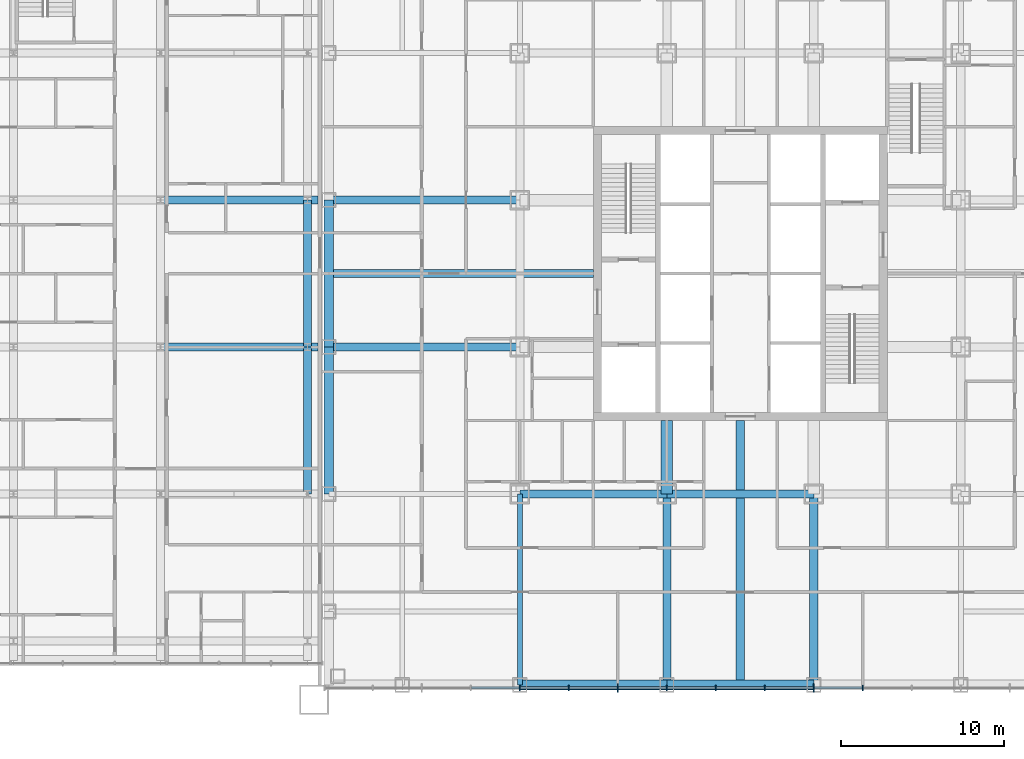
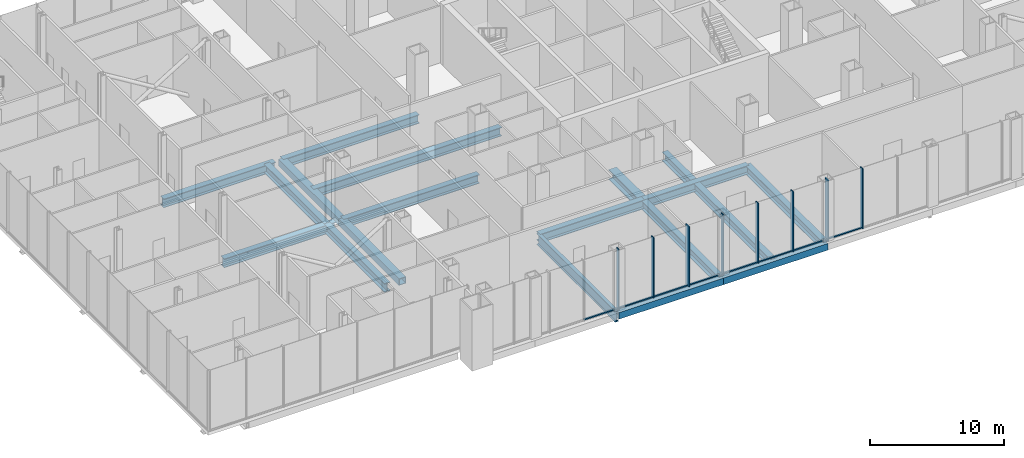
# One storey, part 3 of 25: 18 beams, 16 members, 1 element without a shape of its own.
"""IFC4 building model written with IfcOpenShell, lengths in metres."""

import ifcopenshell
import ifcopenshell.guid

model = None  # the IFC model being written
_history = None  # IfcOwnerHistory: only IFC2X3 demands one
_inside = {}  # id of a spatial element -> (the spatial element, [elements in it])
_under = {}  # id of a project, library or spatial element -> (it, [spatial elements below it])
_declared = {}  # id of a project -> (the project, [libraries it declares])
_typed = {}  # id of a type object -> (the type object, [elements of that type])
_made_of = {}  # id of a material, layer set ... -> (it, [elements and type objects made of it])


def new_model(schema):
    """Start an empty IFC model of exactly this schema.

    Asked for "IFC4X3", IfcOpenShell would pick the latest addendum, in which some entities
    have other attributes; the version numbers below select the first issue.
    IFC2X3 requires an IfcOwnerHistory on every rooted entity: one is made here for all.
    """
    global model, _history
    if schema == "IFC4X3":
        model = ifcopenshell.file(schema_version=(4, 3, 0, 0))
    else:
        model = ifcopenshell.file(schema=schema)
    _inside.clear()
    _under.clear()
    _declared.clear()
    _typed.clear()
    _made_of.clear()
    _history = None
    if model.schema == "IFC2X3":
        org = make("IfcOrganization", Name="unknown")
        user = make(
            "IfcPersonAndOrganization",
            ThePerson=make("IfcPerson", FamilyName="unknown"),
            TheOrganization=org,
        )
        app = make(
            "IfcApplication",
            ApplicationDeveloper=org,
            Version="unknown",
            ApplicationFullName="unknown",
            ApplicationIdentifier="unknown",
        )
        _history = make(
            "IfcOwnerHistory",
            OwningUser=user,
            OwningApplication=app,
            ChangeAction="ADDED",
            CreationDate=0,
        )
    return model


def make(cls, **values):
    """One entity of the class cls with the attributes given. An attribute that is None is left unset."""
    return model.create_entity(
        cls, **{name: value for name, value in values.items() if value is not None}
    )


def rooted(cls, **values):
    """An entity with a GlobalId (a new one), such as an element, a storey or a relation."""
    return make(cls, GlobalId=ifcopenshell.guid.new(), OwnerHistory=_history, **values)


def si_unit(unit_type, name, prefix=None):
    """IfcSIUnit, for example si_unit("LENGTHUNIT", "METRE", prefix="MILLI")."""
    return make("IfcSIUnit", UnitType=unit_type, Prefix=prefix, Name=name)


def assignment(units):
    """IfcUnitAssignment: the units of a project."""
    return None if units is None else make("IfcUnitAssignment", Units=units)


def point(xyz):
    """IfcCartesianPoint."""
    return None if xyz is None else make("IfcCartesianPoint", Coordinates=xyz)


def direction(xyz):
    """IfcDirection."""
    return None if xyz is None else make("IfcDirection", DirectionRatios=xyz)


def frame(location, z_axis=None, x_axis=None):
    """IfcAxis2Placement3D, a coordinate frame: its origin and axes. An axis left out is left unset."""
    return make(
        "IfcAxis2Placement3D",
        Location=point(location),
        Axis=direction(z_axis),
        RefDirection=direction(x_axis),
    )


def frame_2d(location, x_axis=None):
    """IfcAxis2Placement2D, a coordinate frame in the plane: its origin and x axis."""
    return make(
        "IfcAxis2Placement2D", Location=point(location), RefDirection=direction(x_axis)
    )


def origin():
    """The frame at (0, 0, 0) with its axes left unset."""
    return frame((0.0, 0.0, 0.0))


def origin_2d():
    """The frame at (0, 0) in the plane with its x axis left unset."""
    return frame_2d((0.0, 0.0))


def place(relative_to, where):
    """IfcLocalPlacement: puts the frame where relative to a parent placement (None: the world)."""
    return make(
        "IfcLocalPlacement", PlacementRelTo=relative_to, RelativePlacement=where
    )


def context(
    kind, dimensions, precision=None, world=None, true_north=None, identifier=None
):
    """IfcGeometricRepresentationContext, for example the 3D "Model" context."""
    return make(
        "IfcGeometricRepresentationContext",
        ContextIdentifier=identifier,
        ContextType=kind,
        CoordinateSpaceDimension=dimensions,
        Precision=precision,
        WorldCoordinateSystem=world,
        TrueNorth=true_north,
    )


def subcontext(parent, identifier, kind, view, scale=None):
    """IfcGeometricRepresentationSubContext, for example "Body" below "Model"."""
    return make(
        "IfcGeometricRepresentationSubContext",
        ContextIdentifier=identifier,
        ContextType=kind,
        ParentContext=parent,
        TargetScale=scale,
        TargetView=view,
    )


def project(units=None, contexts=None):
    """IfcProject with its units and contexts."""
    return rooted(
        "IfcProject",
        Name="project",
        RepresentationContexts=contexts,
        UnitsInContext=assignment(units),
    )


def spatial(cls, under=None, at=None, **own):
    """A site, building, storey or space (cls), placed at a placement, below another one or the project."""
    s = rooted(cls, ObjectPlacement=at, **own)
    if under is not None:
        _under.setdefault(under.id(), (under, []))[1].append(s)
    return s


def profile(cls, at=None, kind="AREA", **sizes):
    """A parametric profile (cls). Its sizes go by their IFC names, for example OverallWidth=200.0."""
    return make(cls, ProfileType=kind, Position=at, **sizes)


def rectangle(**sizes):
    """IfcRectangleProfileDef."""
    return profile("IfcRectangleProfileDef", **sizes)


def hollow_rectangle(**sizes):
    """IfcRectangleHollowProfileDef."""
    return profile("IfcRectangleHollowProfileDef", **sizes)


def i_section(**sizes):
    """IfcIShapeProfileDef."""
    return profile("IfcIShapeProfileDef", **sizes)


def extrude(swept, where, along, depth):
    """IfcExtrudedAreaSolid: the profile swept, set in the frame where, extruded along a direction by depth."""
    return make(
        "IfcExtrudedAreaSolid",
        SweptArea=swept,
        Position=where,
        ExtrudedDirection=direction(along),
        Depth=depth,
    )


def shape(context_of_items, identifier, shape_type, items):
    """IfcShapeRepresentation: the items that make up one representation, for example the "Body"."""
    return make(
        "IfcShapeRepresentation",
        ContextOfItems=context_of_items,
        RepresentationIdentifier=identifier,
        RepresentationType=shape_type,
        Items=items,
    )


def material(Name=None, Category=None):
    """IfcMaterial."""
    return make("IfcMaterial", Name=Name, Category=Category)


def layer(
    of_material, thickness, ventilated=None, Name=None, Category=None, Priority=None
):
    """IfcMaterialLayer: one layer of a wall or slab, of a material (None: an air gap)."""
    return make(
        "IfcMaterialLayer",
        Material=of_material,
        LayerThickness=thickness,
        IsVentilated=ventilated,
        Name=Name,
        Category=Category,
        Priority=Priority,
    )


def layer_set(layers, Name=None):
    """IfcMaterialLayerSet."""
    return make("IfcMaterialLayerSet", MaterialLayers=layers, LayerSetName=Name)


def material_profile(
    of_material, cross_section, Name=None, Category=None, Priority=None
):
    """IfcMaterialProfile: a cross section and its material."""
    return make(
        "IfcMaterialProfile",
        Name=Name,
        Material=of_material,
        Profile=cross_section,
        Priority=Priority,
        Category=Category,
    )


def profile_set(profiles, Name=None, composite=None):
    """IfcMaterialProfileSet."""
    return make(
        "IfcMaterialProfileSet",
        Name=Name,
        MaterialProfiles=profiles,
        CompositeProfile=composite,
    )


def made_of(thing, what):
    """Note that an element or type object is made of a material, layer set ...; save() writes the relation."""
    if what is not None:
        _made_of.setdefault(what.id(), (what, []))[1].append(thing)
    return thing


def type_object(cls, material=None, **own):
    """A type object (cls), such as IfcWallType, which elements share."""
    return made_of(rooted(cls, **own), material)


def element(
    cls,
    number,
    at=None,
    inside=None,
    cuts=None,
    type_object=None,
    material=None,
    context=None,
    identifier="Body",
    shape_type=None,
    held_by="IfcProductDefinitionShape",
    body=None,
    shapes=None,
    **own,
):
    """One element of the class cls, such as IfcWall. Its Tag is "e" and its number.

    at: its placement. inside: the storey or other place that contains it. cuts: it is an
    opening in that element (IfcRelVoidsElement). A single representation is given by context,
    identifier, shape_type and body (its items); several are given by shapes. held_by: the class
    of the entity that holds the representations. save() writes the other relations.
    """
    e = rooted(cls, Tag="e%d" % number, ObjectPlacement=at, **own)
    if body is not None:
        shapes = [shape(context, identifier, shape_type, body)]
    if shapes is not None:
        e.Representation = make(held_by, Representations=shapes)
    if inside is not None:
        _inside.setdefault(inside.id(), (inside, []))[1].append(e)
    if cuts is not None:
        rooted(
            "IfcRelVoidsElement", RelatingBuildingElement=cuts, RelatedOpeningElement=e
        )
    if type_object is not None:
        _typed.setdefault(type_object.id(), (type_object, []))[1].append(e)
    return made_of(e, material)


def aggregate(whole, parts):
    """IfcRelAggregates: a whole, such as a stair, and the parts it consists of."""
    return rooted("IfcRelAggregates", RelatingObject=whole, RelatedObjects=parts)


def save(model, path):
    """Write the relations noted so far, then the file.

    IfcRelAggregates (storeys below a building ...), IfcRelContainedInSpatialStructure (elements
    in a storey), IfcRelDefinesByType, IfcRelAssociatesMaterial and IfcRelDeclares: one each for
    every whole, place, type object, material and project.
    """
    for whole, parts in _under.values():
        aggregate(whole, parts)
    for where, things in _inside.values():
        rooted(
            "IfcRelContainedInSpatialStructure",
            RelatedElements=things,
            RelatingStructure=where,
        )
    for kind, things in _typed.values():
        rooted("IfcRelDefinesByType", RelatedObjects=things, RelatingType=kind)
    for what, things in _made_of.values():
        rooted("IfcRelAssociatesMaterial", RelatedObjects=things, RelatingMaterial=what)
    for by, libraries in _declared.values():
        rooted("IfcRelDeclares", RelatingContext=by, RelatedDefinitions=libraries)
    model.write(path)


model = new_model("IFC4")

# Units and contexts
model_context = context("Model", 3, precision=1e-05, world=origin(), true_north=direction((0.0, 1.0)))
body_context = subcontext(model_context, "Body", "Model", "MODEL_VIEW")
ifc_project = project(units=[si_unit("LENGTHUNIT", "METRE"), si_unit("AREAUNIT", "SQUARE_METRE"), si_unit("VOLUMEUNIT", "CUBIC_METRE"), si_unit("PLANEANGLEUNIT", "RADIAN"), si_unit("MASSUNIT", "GRAM", prefix="KILO")], contexts=[model_context])

# Site, building, storey
site_placement = place(None, origin())
site = spatial("IfcSite", under=ifc_project, at=site_placement, CompositionType="ELEMENT")
building_placement = place(site_placement, origin())
building = spatial("IfcBuilding", under=site, at=building_placement, Name="Malebo Sky Hospital", CompositionType="ELEMENT")
storey_placement = place(building_placement, frame((0.0, 0.0, 11.0)))
storey = spatial("IfcBuildingStorey", under=building, at=storey_placement, Name="L02", CompositionType="ELEMENT", Elevation=11.0)

# Curtain wall, members
ifc_material_1 = material(Name="Anodised aluminium, natural silver", Category="aluminium")
ifc_layer = layer(ifc_material_1, 0.25)
ifc_layer_set = layer_set([ifc_layer], Name="PODIUM ENTRANCE BAY CURTAIN WALL")
curtain_wall_type = type_object("IfcCurtainWallType", Name="PODIUM ENTRANCE BAY CURTAIN WALL", PredefinedType="NOTDEFINED", material=ifc_layer_set)
curtain_wall_placement = place(storey_placement, origin())
curtain_wall = element("IfcCurtainWall", 1, at=curtain_wall_placement, inside=storey, type_object=curtain_wall_type, Name="BAY curtain wall BS", PredefinedType="NOTDEFINED")
ifc_material_profile_1 = material_profile(ifc_material_1, rectangle(XDim=0.14990234375, YDim=0.10009765625, at=origin_2d()), Name="ALUMINIUM TRANSOM 150x100")
ifc_profile_set_1 = profile_set([ifc_material_profile_1], Name="Anodised aluminium, natural silver")
member_type_1 = type_object("IfcMemberType", Name="ALUMINIUM TRANSOM 150x100", PredefinedType="USERDEFINED", material=ifc_profile_set_1)
member_1_placement = place(storey_placement, frame((43.53759765625, 36.625, 0.050048828125), z_axis=(1.0, 0.0, 0.0), x_axis=(0.0, 1.0, 0.0)))
member_1 = element("IfcMember", 2, at=member_1_placement, type_object=member_type_1, Name="Transom 4", ObjectType="TRANSOM", PredefinedType="USERDEFINED", context=body_context, shape_type="SweptSolid", body=[
    extrude(rectangle(XDim=0.14990234375, YDim=0.10009765625, at=origin_2d()), origin(), (0.0, 0.0, 1.0), 2.9248046875),
])
member_2_placement = place(storey_placement, frame((46.53759765625, 36.625, 0.050048828125), z_axis=(1.0, 0.0, 0.0), x_axis=(0.0, 1.0, 0.0)))
member_2 = element("IfcMember", 3, at=member_2_placement, type_object=member_type_1, Name="Transom 5", ObjectType="TRANSOM", PredefinedType="USERDEFINED", context=body_context, shape_type="SweptSolid", body=[
    extrude(rectangle(XDim=0.14990234375, YDim=0.10009765625, at=origin_2d()), origin(), (0.0, 0.0, 1.0), 2.9248046875),
])
member_3_placement = place(storey_placement, frame((49.53759765625, 36.625, 0.050048828125), z_axis=(1.0, 0.0, 0.0), x_axis=(0.0, 1.0, 0.0)))
member_3 = element("IfcMember", 4, at=member_3_placement, type_object=member_type_1, Name="Transom 6", ObjectType="TRANSOM", PredefinedType="USERDEFINED", context=body_context, shape_type="SweptSolid", body=[
    extrude(rectangle(XDim=0.14990234375, YDim=0.10009765625, at=origin_2d()), origin(), (0.0, 0.0, 1.0), 2.9248046875),
])
member_4_placement = place(storey_placement, frame((52.53759765625, 36.625, 0.050048828125), z_axis=(1.0, 0.0, 0.0), x_axis=(0.0, 1.0, 0.0)))
member_4 = element("IfcMember", 5, at=member_4_placement, type_object=member_type_1, Name="Transom 7", ObjectType="TRANSOM", PredefinedType="USERDEFINED", context=body_context, shape_type="SweptSolid", body=[
    extrude(rectangle(XDim=0.14990234375, YDim=0.10009765625, at=origin_2d()), origin(), (0.0, 0.0, 1.0), 2.9248046875),
])
member_5_placement = place(storey_placement, frame((55.53759765625, 36.625, 0.050048828125), z_axis=(1.0, 0.0, 0.0), x_axis=(0.0, 1.0, 0.0)))
member_5 = element("IfcMember", 6, at=member_5_placement, type_object=member_type_1, Name="Transom 8", ObjectType="TRANSOM", PredefinedType="USERDEFINED", context=body_context, shape_type="SweptSolid", body=[
    extrude(rectangle(XDim=0.14990234375, YDim=0.10009765625, at=origin_2d()), origin(), (0.0, 0.0, 1.0), 2.9248046875),
])
member_6_placement = place(storey_placement, frame((58.53759765625, 36.625, 0.050048828125), z_axis=(1.0, 0.0, 0.0), x_axis=(0.0, 1.0, 0.0)))
member_6 = element("IfcMember", 7, at=member_6_placement, type_object=member_type_1, Name="Transom 9", ObjectType="TRANSOM", PredefinedType="USERDEFINED", context=body_context, shape_type="SweptSolid", body=[
    extrude(rectangle(XDim=0.14990234375, YDim=0.10009765625, at=origin_2d()), origin(), (0.0, 0.0, 1.0), 2.9248046875),
])
member_7_placement = place(storey_placement, frame((61.53759765625, 36.625, 0.050048828125), z_axis=(1.0, 0.0, 0.0), x_axis=(0.0, 1.0, 0.0)))
member_7 = element("IfcMember", 8, at=member_7_placement, type_object=member_type_1, Name="Transom 10", ObjectType="TRANSOM", PredefinedType="USERDEFINED", context=body_context, shape_type="SweptSolid", body=[
    extrude(rectangle(XDim=0.14990234375, YDim=0.10009765625, at=origin_2d()), origin(), (0.0, 0.0, 1.0), 2.9248046875),
])
member_8_placement = place(storey_placement, frame((64.53759765625, 36.625, 0.050048828125), z_axis=(1.0, 0.0, 0.0), x_axis=(0.0, 1.0, 0.0)))
member_8 = element("IfcMember", 9, at=member_8_placement, type_object=member_type_1, Name="Transom 11", ObjectType="TRANSOM", PredefinedType="USERDEFINED", context=body_context, shape_type="SweptSolid", body=[
    extrude(rectangle(XDim=0.14990234375, YDim=0.10009765625, at=origin_2d()), origin(), (0.0, 0.0, 1.0), 2.9248046875),
])
ifc_material_profile_2 = material_profile(ifc_material_1, rectangle(XDim=0.074951171875, YDim=0.35009765625, at=origin_2d()), Name="CW4 ALUMINIUM FIN MULLION 75x350")
ifc_profile_set_2 = profile_set([ifc_material_profile_2], Name="Anodised aluminium, natural silver")
member_type_2 = type_object("IfcMemberType", Name="CW4 ALUMINIUM FIN MULLION 75x350", PredefinedType="MULLION", material=ifc_profile_set_2)
member_9_placement = place(storey_placement, frame((46.5, 36.625, 0.0), z_axis=(0.0, 0.0, 1.0), x_axis=(1.0, 0.0, 0.0)))
member_9 = element("IfcMember", 10, at=member_9_placement, type_object=member_type_2, Name="Fin mullion 5", PredefinedType="MULLION", context=body_context, shape_type="SweptSolid", body=[
    extrude(rectangle(XDim=0.074951171875, YDim=0.35009765625, at=origin_2d()), origin(), (0.0, 0.0, 1.0), 5.5),
])
member_10_placement = place(storey_placement, frame((49.5, 36.625, 0.0), z_axis=(0.0, 0.0, 1.0), x_axis=(1.0, 0.0, 0.0)))
member_10 = element("IfcMember", 11, at=member_10_placement, type_object=member_type_2, Name="Fin mullion 6", PredefinedType="MULLION", context=body_context, shape_type="SweptSolid", body=[
    extrude(rectangle(XDim=0.074951171875, YDim=0.35009765625, at=origin_2d()), origin(), (0.0, 0.0, 1.0), 5.5),
])
member_11_placement = place(storey_placement, frame((55.5, 36.625, 0.0), z_axis=(0.0, 0.0, 1.0), x_axis=(1.0, 0.0, 0.0)))
member_11 = element("IfcMember", 12, at=member_11_placement, type_object=member_type_2, Name="Fin mullion 8", PredefinedType="MULLION", context=body_context, shape_type="SweptSolid", body=[
    extrude(rectangle(XDim=0.074951171875, YDim=0.35009765625, at=origin_2d()), origin(), (0.0, 0.0, 1.0), 5.5),
])
member_12_placement = place(storey_placement, frame((58.5, 36.625, 0.0), z_axis=(0.0, 0.0, 1.0), x_axis=(1.0, 0.0, 0.0)))
member_12 = element("IfcMember", 13, at=member_12_placement, type_object=member_type_2, Name="Fin mullion 9", PredefinedType="MULLION", context=body_context, shape_type="SweptSolid", body=[
    extrude(rectangle(XDim=0.074951171875, YDim=0.35009765625, at=origin_2d()), origin(), (0.0, 0.0, 1.0), 5.5),
])
member_13_placement = place(storey_placement, frame((61.5, 36.625, 0.0), z_axis=(0.0, 0.0, 1.0), x_axis=(1.0, 0.0, 0.0)))
member_13 = element("IfcMember", 14, at=member_13_placement, type_object=member_type_2, Name="Fin mullion 10", PredefinedType="MULLION", context=body_context, shape_type="SweptSolid", body=[
    extrude(rectangle(XDim=0.074951171875, YDim=0.35009765625, at=origin_2d()), origin(), (0.0, 0.0, 1.0), 5.5),
])
member_14_placement = place(storey_placement, frame((67.5, 36.625, 0.0), z_axis=(0.0, 0.0, 1.0), x_axis=(1.0, 0.0, 0.0)))
member_14 = element("IfcMember", 15, at=member_14_placement, type_object=member_type_2, Name="Fin mullion 12", PredefinedType="MULLION", context=body_context, shape_type="SweptSolid", body=[
    extrude(rectangle(XDim=0.074951171875, YDim=0.35009765625, at=origin_2d()), origin(), (0.0, 0.0, 1.0), 5.5),
])
ifc_material_profile_3 = material_profile(ifc_material_1, rectangle(XDim=0.074951171875, YDim=0.5, at=origin_2d()), Name="CW4 ALUMINIUM FIN MULLION 75x500")
ifc_profile_set_3 = profile_set([ifc_material_profile_3], Name="Anodised aluminium, natural silver")
member_type_3 = type_object("IfcMemberType", Name="CW4 ALUMINIUM FIN MULLION 75x500", PredefinedType="MULLION", material=ifc_profile_set_3)
member_15_placement = place(storey_placement, frame((52.5, 36.625, 0.0), z_axis=(0.0, 0.0, 1.0), x_axis=(1.0, 0.0, 0.0)))
member_15 = element("IfcMember", 16, at=member_15_placement, type_object=member_type_3, Name="Fin mullion 7", PredefinedType="MULLION", context=body_context, shape_type="SweptSolid", body=[
    extrude(rectangle(XDim=0.074951171875, YDim=0.5, at=origin_2d()), origin(), (0.0, 0.0, 1.0), 5.5),
])
member_16_placement = place(storey_placement, frame((64.5, 36.625, 0.0), z_axis=(0.0, 0.0, 1.0), x_axis=(1.0, 0.0, 0.0)))
member_16 = element("IfcMember", 17, at=member_16_placement, type_object=member_type_3, Name="Fin mullion 11", PredefinedType="MULLION", context=body_context, shape_type="SweptSolid", body=[
    extrude(rectangle(XDim=0.074951171875, YDim=0.5, at=origin_2d()), origin(), (0.0, 0.0, 1.0), 5.5),
])
aggregate(curtain_wall, [member_9, member_10, member_15, member_11, member_12, member_13, member_16, member_14, member_1, member_2, member_3, member_4, member_5, member_6, member_7, member_8])

# Beams
ifc_material_2 = material(Name="Steel S460", Category="steel")
ifc_material_profile_4 = material_profile(ifc_material_2, hollow_rectangle(XDim=0.60009765625, YDim=0.60009765625, WallThickness=0.0400390625, at=origin_2d()), Name="BOX 600x600x40")
ifc_profile_set_4 = profile_set([ifc_material_profile_4], Name="Steel S460")
beam_type_1 = type_object("IfcBeamType", Name="EDGE BEAM BOX 600x600x40", PredefinedType="BEAM", material=ifc_profile_set_4)
for number, where, z_axis, x_axis, name in (
    (18, (34.800048828125, 48.5, -0.60009765625), (0.0, 1.0, 0.0), (-1.0, 0.0, 0.0), "Beam 002 L02"),
    (19, (34.800048828125, 57.5, -0.60009765625), (0.0, 1.0, 0.0), (-1.0, 0.0, 0.0), "Beam 003 L02"),
    (20, (46.5, 36.800048828125, -0.60009765625), (1.0, 0.0, 0.0), (0.0, 1.0, 0.0), "Beam 040 L02"),
    (21, (55.5, 36.800048828125, -0.60009765625), (1.0, 0.0, 0.0), (0.0, 1.0, 0.0), "Beam 041 L02"),
):
    element("IfcBeam", number, at=place(storey_placement, frame(where, z_axis=z_axis, x_axis=x_axis)), inside=storey, type_object=beam_type_1, Name=name, PredefinedType="BEAM", context=body_context, shape_type="SweptSolid", body=[
        extrude(hollow_rectangle(XDim=0.60009765625, YDim=0.60009765625, WallThickness=0.0400390625, at=origin_2d()), origin(), (0.0, 0.0, 1.0), 9.0),
    ])
ifc_material_3 = material(Name="Steel S355", Category="steel")
ifc_material_profile_5 = material_profile(ifc_material_3, i_section(OverallWidth=0.5, OverallDepth=0.800048828125, WebThickness=0.030029296875, FlangeThickness=0.050048828125, at=origin_2d()), Name="PG 800x500x30x50")
ifc_profile_set_5 = profile_set([ifc_material_profile_5], Name="Steel S355")
beam_type_2 = type_object("IfcBeamType", Name="FLOOR BEAM PG 800x500x30x50", PredefinedType="BEAM", material=ifc_profile_set_5)
beam_1_placement = place(storey_placement, frame((55.5, 36.800048828125, -0.699951171875), z_axis=(0.0, 1.0, 0.0), x_axis=(-1.0, 0.0, 0.0)))
element("IfcBeam", 22, at=beam_1_placement, inside=storey, type_object=beam_type_2, Name="Beam 014 L02", PredefinedType="BEAM", context=body_context, shape_type="SweptSolid", body=[
    extrude(i_section(OverallWidth=0.5, OverallDepth=0.800048828125, WebThickness=0.030029296875, FlangeThickness=0.050048828125, at=origin_2d()), origin(), (0.0, 0.0, 1.0), 11.699951171875),
])
beam_2_placement = place(storey_placement, frame((60.0, 36.800048828125, -0.699951171875), z_axis=(0.0, 1.0, 0.0), x_axis=(-1.0, 0.0, 0.0)))
element("IfcBeam", 23, at=beam_2_placement, inside=storey, type_object=beam_type_2, Name="Beam 018 L02", PredefinedType="BEAM", context=body_context, shape_type="SweptSolid", body=[
    extrude(i_section(OverallWidth=0.5, OverallDepth=0.800048828125, WebThickness=0.030029296875, FlangeThickness=0.050048828125, at=origin_2d()), origin(), (0.0, 0.0, 1.0), 16.199951171875),
])
beam_3_placement = place(storey_placement, frame((64.5, 36.800048828125, -0.699951171875), z_axis=(0.0, 1.0, 0.0), x_axis=(-1.0, 0.0, 0.0)))
element("IfcBeam", 24, at=beam_3_placement, inside=storey, type_object=beam_type_2, Name="Beam 020 L02", PredefinedType="BEAM", context=body_context, shape_type="SweptSolid", body=[
    extrude(i_section(OverallWidth=0.5, OverallDepth=0.800048828125, WebThickness=0.030029296875, FlangeThickness=0.050048828125, at=origin_2d()), origin(), (0.0, 0.0, 1.0), 11.699951171875),
])
beam_4_placement = place(storey_placement, frame((46.5, 48.5, -0.699951171875), z_axis=(1.0, 0.0, 0.0), x_axis=(0.0, 1.0, 0.0)))
element("IfcBeam", 25, at=beam_4_placement, inside=storey, type_object=beam_type_2, Name="Beam 048 L02", PredefinedType="BEAM", context=body_context, shape_type="SweptSolid", body=[
    extrude(i_section(OverallWidth=0.5, OverallDepth=0.800048828125, WebThickness=0.030029296875, FlangeThickness=0.050048828125, at=origin_2d()), origin(), (0.0, 0.0, 1.0), 9.0),
])
beam_5_placement = place(storey_placement, frame((34.800048828125, 57.5, -0.699951171875), z_axis=(1.0, 0.0, 0.0), x_axis=(0.0, 1.0, 0.0)))
element("IfcBeam", 26, at=beam_5_placement, inside=storey, type_object=beam_type_2, Name="Beam 052 L02", PredefinedType="BEAM", context=body_context, shape_type="SweptSolid", body=[
    extrude(i_section(OverallWidth=0.5, OverallDepth=0.800048828125, WebThickness=0.030029296875, FlangeThickness=0.050048828125, at=origin_2d()), origin(), (0.0, 0.0, 1.0), 11.699951171875),
])
beam_6_placement = place(storey_placement, frame((34.800048828125, 62.0, -0.699951171875), z_axis=(1.0, 0.0, 0.0), x_axis=(0.0, 1.0, 0.0)))
element("IfcBeam", 27, at=beam_6_placement, inside=storey, type_object=beam_type_2, Name="Beam 056 L02", PredefinedType="BEAM", context=body_context, shape_type="SweptSolid", body=[
    extrude(i_section(OverallWidth=0.5, OverallDepth=0.800048828125, WebThickness=0.030029296875, FlangeThickness=0.050048828125, at=origin_2d()), origin(), (0.0, 0.0, 1.0), 16.199951171875),
])
beam_7_placement = place(storey_placement, frame((34.800048828125, 66.5, -0.699951171875), z_axis=(1.0, 0.0, 0.0), x_axis=(0.0, 1.0, 0.0)))
element("IfcBeam", 28, at=beam_7_placement, inside=storey, type_object=beam_type_2, Name="Beam 058 L02", PredefinedType="BEAM", context=body_context, shape_type="SweptSolid", body=[
    extrude(i_section(OverallWidth=0.5, OverallDepth=0.800048828125, WebThickness=0.030029296875, FlangeThickness=0.050048828125, at=origin_2d()), origin(), (0.0, 0.0, 1.0), 11.699951171875),
])
for number, where, z_axis, x_axis, name in (
    (29, (33.5, 48.5, -0.699951171875), (0.0, 1.0, 0.0), (-1.0, 0.0, 0.0), "Beam W012 L02"),
    (30, (33.5, 57.5, -0.699951171875), (0.0, 1.0, 0.0), (-1.0, 0.0, 0.0), "Beam W013 L02"),
):
    element("IfcBeam", number, at=place(storey_placement, frame(where, z_axis=z_axis, x_axis=x_axis)), inside=storey, type_object=beam_type_2, Name=name, PredefinedType="BEAM", context=body_context, shape_type="SweptSolid", body=[
        extrude(i_section(OverallWidth=0.5, OverallDepth=0.800048828125, WebThickness=0.030029296875, FlangeThickness=0.050048828125, at=origin_2d()), origin(), (0.0, 0.0, 1.0), 9.0),
    ])
for number, where, z_axis, x_axis, name in (
    (31, (24.5, 57.5, -0.699951171875), (1.0, 0.0, 0.0), (0.0, 1.0, 0.0), "Beam W021 L02"),
    (32, (24.5, 66.5, -0.699951171875), (1.0, 0.0, 0.0), (0.0, 1.0, 0.0), "Beam W023 L02"),
):
    element("IfcBeam", number, at=place(storey_placement, frame(where, z_axis=z_axis, x_axis=x_axis)), inside=storey, type_object=beam_type_2, Name=name, PredefinedType="BEAM", context=body_context, shape_type="SweptSolid", body=[
        extrude(i_section(OverallWidth=0.5, OverallDepth=0.800048828125, WebThickness=0.030029296875, FlangeThickness=0.050048828125, at=origin_2d()), origin(), (0.0, 0.0, 1.0), 9.64990234375),
    ])
ifc_material_profile_6 = material_profile(ifc_material_3, i_section(OverallWidth=0.699951171875, OverallDepth=0.89990234375, WebThickness=0.0400390625, FlangeThickness=0.070068359375, at=origin_2d()), Name="PG 900x700x40x70")
ifc_profile_set_6 = profile_set([ifc_material_profile_6], Name="Steel S355")
beam_type_3 = type_object("IfcBeamType", Name="FLOOR BEAM PG 900x700x40x70", PredefinedType="BEAM", material=ifc_profile_set_6)
beam_8_placement = place(storey_placement, frame((55.5, 48.5, -0.75), z_axis=(0.0, 1.0, 0.0), x_axis=(-1.0, 0.0, 0.0)))
element("IfcBeam", 33, at=beam_8_placement, inside=storey, type_object=beam_type_3, Name="Beam 015 L02", PredefinedType="BEAM", context=body_context, shape_type="SweptSolid", body=[
    extrude(i_section(OverallWidth=0.699951171875, OverallDepth=0.89990234375, WebThickness=0.0400390625, FlangeThickness=0.070068359375, at=origin_2d()), origin(), (0.0, 0.0, 1.0), 4.5),
])
ifc_material_profile_7 = material_profile(ifc_material_3, i_section(OverallWidth=0.300048828125, OverallDepth=1.0, WebThickness=0.01904296875, FlangeThickness=0.035888671875, FilletRadius=0.030029296875, at=origin_2d()), Name="HEB 1000")
ifc_profile_set_7 = profile_set([ifc_material_profile_7], Name="Steel S355")
beam_type_4 = type_object("IfcBeamType", Name="FLOOR GIRDER HEB 1000", PredefinedType="BEAM", material=ifc_profile_set_7)
beam_9_placement = place(storey_placement, frame((46.5, 36.800048828125, -0.800048828125), z_axis=(0.0, 1.0, 0.0), x_axis=(-1.0, 0.0, 0.0)))
element("IfcBeam", 34, at=beam_9_placement, inside=storey, type_object=beam_type_4, Name="Beam 009 L02", PredefinedType="BEAM", context=body_context, shape_type="SweptSolid", body=[
    extrude(i_section(OverallWidth=0.300048828125, OverallDepth=1.0, WebThickness=0.01904296875, FlangeThickness=0.035888671875, FilletRadius=0.030029296875, at=origin_2d()), origin(), (0.0, 0.0, 1.0), 11.699951171875),
])
ifc_material_profile_8 = material_profile(ifc_material_3, i_section(OverallWidth=0.5, OverallDepth=0.800048828125, WebThickness=0.030029296875, FlangeThickness=0.050048828125, at=origin_2d()), Name="PG 800x500x30x50")
ifc_profile_set_8 = profile_set([ifc_material_profile_8], Name="Steel S355")
beam_type_5 = type_object("IfcBeamType", Name="RING GIRDER PG 800x500x30x50", PredefinedType="BEAM", material=ifc_profile_set_8)
beam_10_placement = place(storey_placement, frame((55.5, 48.5, -0.699951171875), z_axis=(1.0, 0.0, 0.0), x_axis=(0.0, 1.0, 0.0)))
element("IfcBeam", 35, at=beam_10_placement, inside=storey, type_object=beam_type_5, Name="Beam 049 L02", PredefinedType="BEAM", context=body_context, shape_type="SweptSolid", body=[
    extrude(i_section(OverallWidth=0.5, OverallDepth=0.800048828125, WebThickness=0.030029296875, FlangeThickness=0.050048828125, at=origin_2d()), origin(), (0.0, 0.0, 1.0), 9.0),
])

save(model, "model.ifc")
